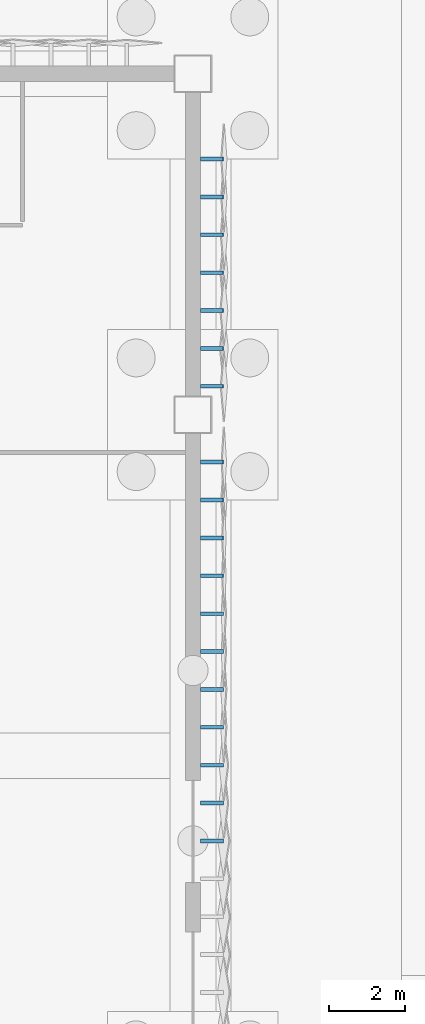
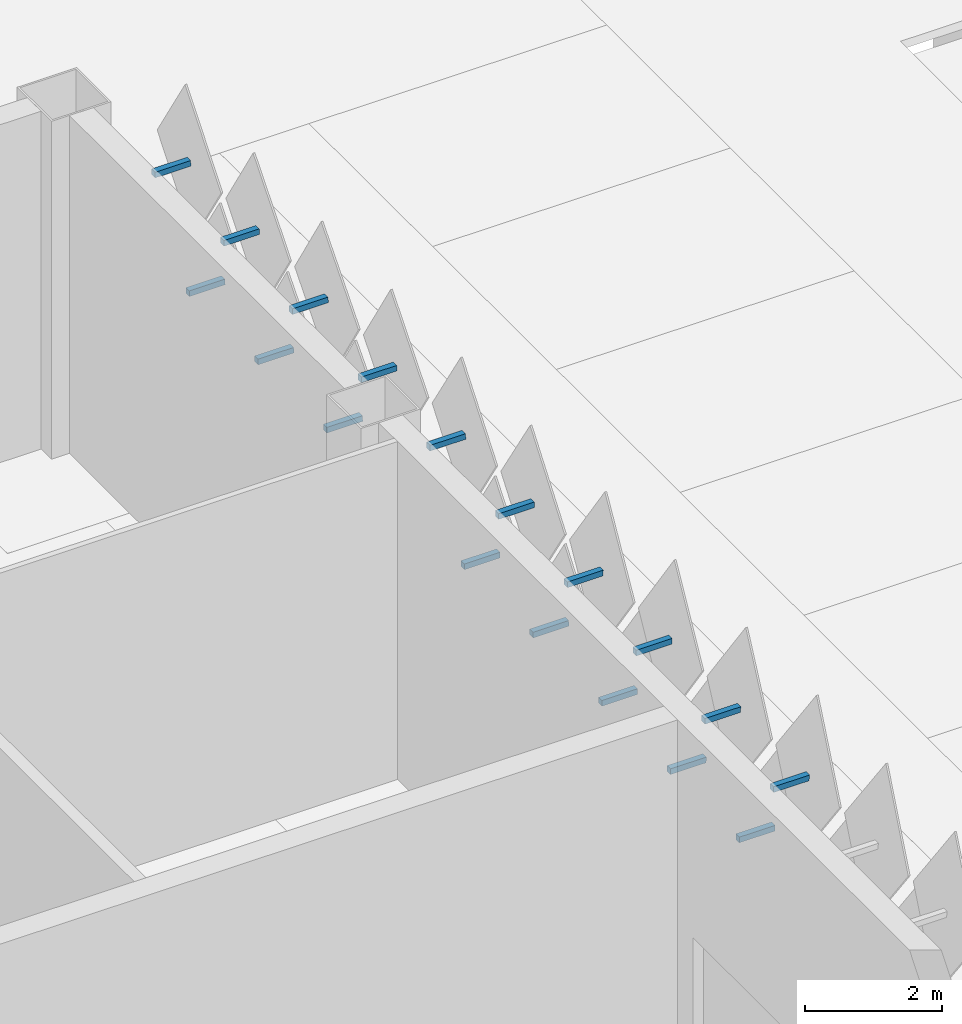
# One storey, part 132 of 198: 18 discrete accessories.
"""IFC4 building model written with IfcOpenShell, lengths in metres."""

import ifcopenshell
import ifcopenshell.guid

model = None  # the IFC model being written
_history = None  # IfcOwnerHistory: only IFC2X3 demands one
_inside = {}  # id of a spatial element -> (the spatial element, [elements in it])
_under = {}  # id of a project, library or spatial element -> (it, [spatial elements below it])
_declared = {}  # id of a project -> (the project, [libraries it declares])
_typed = {}  # id of a type object -> (the type object, [elements of that type])
_made_of = {}  # id of a material, layer set ... -> (it, [elements and type objects made of it])


def new_model(schema):
    """Start an empty IFC model of exactly this schema.

    Asked for "IFC4X3", IfcOpenShell would pick the latest addendum, in which some entities
    have other attributes; the version numbers below select the first issue.
    IFC2X3 requires an IfcOwnerHistory on every rooted entity: one is made here for all.
    """
    global model, _history
    if schema == "IFC4X3":
        model = ifcopenshell.file(schema_version=(4, 3, 0, 0))
    else:
        model = ifcopenshell.file(schema=schema)
    _inside.clear()
    _under.clear()
    _declared.clear()
    _typed.clear()
    _made_of.clear()
    _history = None
    if model.schema == "IFC2X3":
        org = make("IfcOrganization", Name="unknown")
        user = make(
            "IfcPersonAndOrganization",
            ThePerson=make("IfcPerson", FamilyName="unknown"),
            TheOrganization=org,
        )
        app = make(
            "IfcApplication",
            ApplicationDeveloper=org,
            Version="unknown",
            ApplicationFullName="unknown",
            ApplicationIdentifier="unknown",
        )
        _history = make(
            "IfcOwnerHistory",
            OwningUser=user,
            OwningApplication=app,
            ChangeAction="ADDED",
            CreationDate=0,
        )
    return model


def make(cls, **values):
    """One entity of the class cls with the attributes given. An attribute that is None is left unset."""
    return model.create_entity(
        cls, **{name: value for name, value in values.items() if value is not None}
    )


def rooted(cls, **values):
    """An entity with a GlobalId (a new one), such as an element, a storey or a relation."""
    return make(cls, GlobalId=ifcopenshell.guid.new(), OwnerHistory=_history, **values)


def si_unit(unit_type, name, prefix=None):
    """IfcSIUnit, for example si_unit("LENGTHUNIT", "METRE", prefix="MILLI")."""
    return make("IfcSIUnit", UnitType=unit_type, Prefix=prefix, Name=name)


def assignment(units):
    """IfcUnitAssignment: the units of a project."""
    return None if units is None else make("IfcUnitAssignment", Units=units)


def point(xyz):
    """IfcCartesianPoint."""
    return None if xyz is None else make("IfcCartesianPoint", Coordinates=xyz)


def direction(xyz):
    """IfcDirection."""
    return None if xyz is None else make("IfcDirection", DirectionRatios=xyz)


def frame(location, z_axis=None, x_axis=None):
    """IfcAxis2Placement3D, a coordinate frame: its origin and axes. An axis left out is left unset."""
    return make(
        "IfcAxis2Placement3D",
        Location=point(location),
        Axis=direction(z_axis),
        RefDirection=direction(x_axis),
    )


def origin():
    """The frame at (0, 0, 0) with its axes left unset."""
    return frame((0.0, 0.0, 0.0))


def place(relative_to, where):
    """IfcLocalPlacement: puts the frame where relative to a parent placement (None: the world)."""
    return make(
        "IfcLocalPlacement", PlacementRelTo=relative_to, RelativePlacement=where
    )


def context(
    kind, dimensions, precision=None, world=None, true_north=None, identifier=None
):
    """IfcGeometricRepresentationContext, for example the 3D "Model" context."""
    return make(
        "IfcGeometricRepresentationContext",
        ContextIdentifier=identifier,
        ContextType=kind,
        CoordinateSpaceDimension=dimensions,
        Precision=precision,
        WorldCoordinateSystem=world,
        TrueNorth=true_north,
    )


def subcontext(parent, identifier, kind, view, scale=None):
    """IfcGeometricRepresentationSubContext, for example "Body" below "Model"."""
    return make(
        "IfcGeometricRepresentationSubContext",
        ContextIdentifier=identifier,
        ContextType=kind,
        ParentContext=parent,
        TargetScale=scale,
        TargetView=view,
    )


def project(units=None, contexts=None):
    """IfcProject with its units and contexts."""
    return rooted(
        "IfcProject",
        Name="project",
        RepresentationContexts=contexts,
        UnitsInContext=assignment(units),
    )


def spatial(cls, under=None, at=None, **own):
    """A site, building, storey or space (cls), placed at a placement, below another one or the project."""
    s = rooted(cls, ObjectPlacement=at, **own)
    if under is not None:
        _under.setdefault(under.id(), (under, []))[1].append(s)
    return s


def polyline(points):
    """IfcPolyline through the points."""
    return make("IfcPolyline", Points=[point(p) for p in points])


def outline(outer, holes=None, kind="AREA"):
    """IfcArbitraryClosedProfileDef: a profile drawn as a closed curve; with holes, ...WithVoids."""
    if holes is None:
        return make("IfcArbitraryClosedProfileDef", ProfileType=kind, OuterCurve=outer)
    return make(
        "IfcArbitraryProfileDefWithVoids",
        ProfileType=kind,
        OuterCurve=outer,
        InnerCurves=holes,
    )


def extrude(swept, where, along, depth):
    """IfcExtrudedAreaSolid: the profile swept, set in the frame where, extruded along a direction by depth."""
    return make(
        "IfcExtrudedAreaSolid",
        SweptArea=swept,
        Position=where,
        ExtrudedDirection=direction(along),
        Depth=depth,
    )


def shape(context_of_items, identifier, shape_type, items):
    """IfcShapeRepresentation: the items that make up one representation, for example the "Body"."""
    return make(
        "IfcShapeRepresentation",
        ContextOfItems=context_of_items,
        RepresentationIdentifier=identifier,
        RepresentationType=shape_type,
        Items=items,
    )


def material(Name=None, Category=None):
    """IfcMaterial."""
    return make("IfcMaterial", Name=Name, Category=Category)


def made_of(thing, what):
    """Note that an element or type object is made of a material, layer set ...; save() writes the relation."""
    if what is not None:
        _made_of.setdefault(what.id(), (what, []))[1].append(thing)
    return thing


def type_object(cls, material=None, **own):
    """A type object (cls), such as IfcWallType, which elements share."""
    return made_of(rooted(cls, **own), material)


def element(
    cls,
    number,
    at=None,
    inside=None,
    cuts=None,
    type_object=None,
    material=None,
    context=None,
    identifier="Body",
    shape_type=None,
    held_by="IfcProductDefinitionShape",
    body=None,
    shapes=None,
    **own,
):
    """One element of the class cls, such as IfcWall. Its Tag is "e" and its number.

    at: its placement. inside: the storey or other place that contains it. cuts: it is an
    opening in that element (IfcRelVoidsElement). A single representation is given by context,
    identifier, shape_type and body (its items); several are given by shapes. held_by: the class
    of the entity that holds the representations. save() writes the other relations.
    """
    e = rooted(cls, Tag="e%d" % number, ObjectPlacement=at, **own)
    if body is not None:
        shapes = [shape(context, identifier, shape_type, body)]
    if shapes is not None:
        e.Representation = make(held_by, Representations=shapes)
    if inside is not None:
        _inside.setdefault(inside.id(), (inside, []))[1].append(e)
    if cuts is not None:
        rooted(
            "IfcRelVoidsElement", RelatingBuildingElement=cuts, RelatedOpeningElement=e
        )
    if type_object is not None:
        _typed.setdefault(type_object.id(), (type_object, []))[1].append(e)
    return made_of(e, material)


def aggregate(whole, parts):
    """IfcRelAggregates: a whole, such as a stair, and the parts it consists of."""
    return rooted("IfcRelAggregates", RelatingObject=whole, RelatedObjects=parts)


def save(model, path):
    """Write the relations noted so far, then the file.

    IfcRelAggregates (storeys below a building ...), IfcRelContainedInSpatialStructure (elements
    in a storey), IfcRelDefinesByType, IfcRelAssociatesMaterial and IfcRelDeclares: one each for
    every whole, place, type object, material and project.
    """
    for whole, parts in _under.values():
        aggregate(whole, parts)
    for where, things in _inside.values():
        rooted(
            "IfcRelContainedInSpatialStructure",
            RelatedElements=things,
            RelatingStructure=where,
        )
    for kind, things in _typed.values():
        rooted("IfcRelDefinesByType", RelatedObjects=things, RelatingType=kind)
    for what, things in _made_of.values():
        rooted("IfcRelAssociatesMaterial", RelatedObjects=things, RelatingMaterial=what)
    for by, libraries in _declared.values():
        rooted("IfcRelDeclares", RelatingContext=by, RelatedDefinitions=libraries)
    model.write(path)


model = new_model("IFC4")

# Units and contexts
model_context = context("Model", 3, precision=1e-05, world=origin(), true_north=direction((0.0, 1.0)))
body_context = subcontext(model_context, "Body", "Model", "MODEL_VIEW")
ifc_project = project(units=[si_unit("LENGTHUNIT", "METRE"), si_unit("AREAUNIT", "SQUARE_METRE"), si_unit("VOLUMEUNIT", "CUBIC_METRE"), si_unit("PLANEANGLEUNIT", "RADIAN"), si_unit("MASSUNIT", "GRAM", prefix="KILO")], contexts=[model_context])

# Site, building, storey
site_placement = place(None, origin())
site = spatial("IfcSite", under=ifc_project, at=site_placement, CompositionType="ELEMENT")
building_placement = place(site_placement, origin())
building = spatial("IfcBuilding", under=site, at=building_placement, Name="Opaline Strait Convention Centre", CompositionType="ELEMENT")
storey_placement = place(building_placement, origin())
storey = spatial("IfcBuildingStorey", under=building, at=storey_placement, Name="L00", CompositionType="ELEMENT", Elevation=0.0)

# Discrete accessories
ifc_material = material(Name="Steel Q355B", Category="steel")
discrete_accessory_type = type_object("IfcDiscreteAccessoryType", Name="Tile bracket 100x100 steel", PredefinedType="BRACKET", material=ifc_material)
discrete_accessory_1_placement = place(storey_placement, frame((261.199951171875, 133.699951171875, 4.39208984375), z_axis=(0.0, 1.0, 0.0), x_axis=(-1.0, 0.0, 0.0)))
element("IfcDiscreteAccessory", 1, at=discrete_accessory_1_placement, inside=storey, type_object=discrete_accessory_type, Name="Tile bracket XT09 E", PredefinedType="BRACKET", context=body_context, shape_type="SweptSolid", body=[
    extrude(outline(polyline([(0.0, -0.050048828125), (0.0, 0.050048828125), (-0.60400390625, 0.050048828125), (-0.595947265625, -0.050048828125), (0.0, -0.050048828125)])), origin(), (0.0, 0.0, 1.0), 0.10009765625),
])
discrete_accessory_2_placement = place(storey_placement, frame((261.199951171875, 135.699951171875, 4.39208984375), z_axis=(0.0, 1.0, 0.0), x_axis=(-1.0, 0.0, 0.0)))
element("IfcDiscreteAccessory", 2, at=discrete_accessory_2_placement, inside=storey, type_object=discrete_accessory_type, Name="Tile bracket XT05 E", PredefinedType="BRACKET", context=body_context, shape_type="SweptSolid", body=[
    extrude(outline(polyline([(0.0, -0.050048828125), (0.0, 0.050048828125), (-0.602294921875, 0.050048828125), (-0.597900390625, -0.050048828125), (0.0, -0.050048828125)])), origin(), (0.0, 0.0, 1.0), 0.10009765625),
])
discrete_accessory_3_placement = place(storey_placement, frame((261.199951171875, 137.699951171875, 4.39208984375), z_axis=(0.0, 1.0, 0.0), x_axis=(-1.0, 0.0, 0.0)))
element("IfcDiscreteAccessory", 3, at=discrete_accessory_3_placement, inside=storey, type_object=discrete_accessory_type, Name="Tile bracket XT04 E", PredefinedType="BRACKET", context=body_context, shape_type="SweptSolid", body=[
    extrude(outline(polyline([(0.0, -0.050048828125), (0.0, 0.050048828125), (-0.601806640625, 0.050048828125), (-0.59814453125, -0.050048828125), (0.0, -0.050048828125)])), origin(), (0.0, 0.0, 1.0), 0.10009765625),
])
discrete_accessory_4_placement = place(storey_placement, frame((261.199951171875, 139.699951171875, 4.39208984375), z_axis=(0.0, 1.0, 0.0), x_axis=(-1.0, 0.0, 0.0)))
element("IfcDiscreteAccessory", 4, at=discrete_accessory_4_placement, inside=storey, type_object=discrete_accessory_type, Name="Tile bracket XT04 E", PredefinedType="BRACKET", context=body_context, shape_type="SweptSolid", body=[
    extrude(outline(polyline([(0.0, -0.050048828125), (0.0, 0.050048828125), (-0.59814453125, 0.050048828125), (-0.601806640625, -0.050048828125), (0.0, -0.050048828125)])), origin(), (0.0, 0.0, 1.0), 0.10009765625),
])
discrete_accessory_5_placement = place(storey_placement, frame((261.199951171875, 141.699951171875, 4.39208984375), z_axis=(0.0, 1.0, 0.0), x_axis=(-1.0, 0.0, 0.0)))
element("IfcDiscreteAccessory", 5, at=discrete_accessory_5_placement, inside=storey, type_object=discrete_accessory_type, Name="Tile bracket XT06 E", PredefinedType="BRACKET", context=body_context, shape_type="SweptSolid", body=[
    extrude(outline(polyline([(0.0, -0.050048828125), (0.0, 0.050048828125), (-0.597412109375, 0.050048828125), (-0.6025390625, -0.050048828125), (0.0, -0.050048828125)])), origin(), (0.0, 0.0, 1.0), 0.10009765625),
])
discrete_accessory_6_placement = place(storey_placement, frame((261.199951171875, 145.699951171875, 4.39208984375), z_axis=(0.0, 1.0, 0.0), x_axis=(-1.0, 0.0, 0.0)))
element("IfcDiscreteAccessory", 6, at=discrete_accessory_6_placement, inside=storey, type_object=discrete_accessory_type, Name="Tile bracket XT09 E", PredefinedType="BRACKET", context=body_context, shape_type="SweptSolid", body=[
    extrude(outline(polyline([(0.0, -0.050048828125), (0.0, 0.050048828125), (-0.595947265625, 0.050048828125), (-0.60400390625, -0.050048828125), (0.0, -0.050048828125)])), origin(), (0.0, 0.0, 1.0), 0.10009765625),
])
discrete_accessory_7_placement = place(storey_placement, frame((261.199951171875, 147.699951171875, 4.39208984375), z_axis=(0.0, 1.0, 0.0), x_axis=(-1.0, 0.0, 0.0)))
element("IfcDiscreteAccessory", 7, at=discrete_accessory_7_placement, inside=storey, type_object=discrete_accessory_type, Name="Tile bracket XT08 E", PredefinedType="BRACKET", context=body_context, shape_type="SweptSolid", body=[
    extrude(outline(polyline([(0.0, -0.050048828125), (0.0, 0.050048828125), (-0.596435546875, 0.050048828125), (-0.603515625, -0.050048828125), (0.0, -0.050048828125)])), origin(), (0.0, 0.0, 1.0), 0.10009765625),
])
discrete_accessory_8_placement = place(storey_placement, frame((261.199951171875, 149.699951171875, 4.39208984375), z_axis=(0.0, 1.0, 0.0), x_axis=(-1.0, 0.0, 0.0)))
element("IfcDiscreteAccessory", 8, at=discrete_accessory_8_placement, inside=storey, type_object=discrete_accessory_type, Name="Tile bracket XT06 E", PredefinedType="BRACKET", context=body_context, shape_type="SweptSolid", body=[
    extrude(outline(polyline([(0.0, -0.050048828125), (0.0, 0.050048828125), (-0.597412109375, 0.050048828125), (-0.6025390625, -0.050048828125), (0.0, -0.050048828125)])), origin(), (0.0, 0.0, 1.0), 0.10009765625),
])
discrete_accessory_9_placement = place(storey_placement, frame((261.199951171875, 132.699951171875, 5.89208984375), z_axis=(0.0, 1.0, 0.0), x_axis=(-1.0, 0.0, 0.0)))
element("IfcDiscreteAccessory", 9, at=discrete_accessory_9_placement, inside=storey, type_object=discrete_accessory_type, Name="Tile bracket XT12 E", PredefinedType="BRACKET", context=body_context, shape_type="SweptSolid", body=[
    extrude(outline(polyline([(0.0, -0.050048828125), (0.0, 0.050048828125), (-0.605224609375, 0.050048828125), (-0.5947265625, -0.050048828125), (0.0, -0.050048828125)])), origin(), (0.0, 0.0, 1.0), 0.10009765625),
])
discrete_accessory_10_placement = place(storey_placement, frame((261.199951171875, 134.699951171875, 5.89208984375), z_axis=(0.0, 1.0, 0.0), x_axis=(-1.0, 0.0, 0.0)))
element("IfcDiscreteAccessory", 10, at=discrete_accessory_10_placement, inside=storey, type_object=discrete_accessory_type, Name="Tile bracket XT09 E", PredefinedType="BRACKET", context=body_context, shape_type="SweptSolid", body=[
    extrude(outline(polyline([(0.0, -0.050048828125), (0.0, 0.050048828125), (-0.60400390625, 0.050048828125), (-0.595947265625, -0.050048828125), (0.0, -0.050048828125)])), origin(), (0.0, 0.0, 1.0), 0.10009765625),
])
discrete_accessory_11_placement = place(storey_placement, frame((261.199951171875, 136.699951171875, 5.89208984375), z_axis=(0.0, 1.0, 0.0), x_axis=(-1.0, 0.0, 0.0)))
element("IfcDiscreteAccessory", 11, at=discrete_accessory_11_placement, inside=storey, type_object=discrete_accessory_type, Name="Tile bracket XT05 E", PredefinedType="BRACKET", context=body_context, shape_type="SweptSolid", body=[
    extrude(outline(polyline([(0.0, -0.050048828125), (0.0, 0.050048828125), (-0.602294921875, 0.050048828125), (-0.597900390625, -0.050048828125), (0.0, -0.050048828125)])), origin(), (0.0, 0.0, 1.0), 0.10009765625),
])
discrete_accessory_12_placement = place(storey_placement, frame((261.199951171875, 138.699951171875, 5.89208984375), z_axis=(0.0, 1.0, 0.0), x_axis=(-1.0, 0.0, 0.0)))
element("IfcDiscreteAccessory", 12, at=discrete_accessory_12_placement, inside=storey, type_object=discrete_accessory_type, Name="Tile bracket XT04 E", PredefinedType="BRACKET", context=body_context, shape_type="SweptSolid", body=[
    extrude(outline(polyline([(0.0, -0.050048828125), (0.0, 0.050048828125), (-0.601806640625, 0.050048828125), (-0.59814453125, -0.050048828125), (0.0, -0.050048828125)])), origin(), (0.0, 0.0, 1.0), 0.10009765625),
])
discrete_accessory_13_placement = place(storey_placement, frame((261.199951171875, 140.699951171875, 5.89208984375), z_axis=(0.0, 1.0, 0.0), x_axis=(-1.0, 0.0, 0.0)))
element("IfcDiscreteAccessory", 13, at=discrete_accessory_13_placement, inside=storey, type_object=discrete_accessory_type, Name="Tile bracket XT04 E", PredefinedType="BRACKET", context=body_context, shape_type="SweptSolid", body=[
    extrude(outline(polyline([(0.0, -0.050048828125), (0.0, 0.050048828125), (-0.59814453125, 0.050048828125), (-0.601806640625, -0.050048828125), (0.0, -0.050048828125)])), origin(), (0.0, 0.0, 1.0), 0.10009765625),
])
discrete_accessory_14_placement = place(storey_placement, frame((261.199951171875, 142.699951171875, 5.89208984375), z_axis=(0.0, 1.0, 0.0), x_axis=(-1.0, 0.0, 0.0)))
element("IfcDiscreteAccessory", 14, at=discrete_accessory_14_placement, inside=storey, type_object=discrete_accessory_type, Name="Tile bracket XT05 E", PredefinedType="BRACKET", context=body_context, shape_type="SweptSolid", body=[
    extrude(outline(polyline([(0.0, -0.050048828125), (0.0, 0.050048828125), (-0.597900390625, 0.050048828125), (-0.602294921875, -0.050048828125), (0.0, -0.050048828125)])), origin(), (0.0, 0.0, 1.0), 0.10009765625),
])
discrete_accessory_15_placement = place(storey_placement, frame((261.199951171875, 144.699951171875, 5.89208984375), z_axis=(0.0, 1.0, 0.0), x_axis=(-1.0, 0.0, 0.0)))
element("IfcDiscreteAccessory", 15, at=discrete_accessory_15_placement, inside=storey, type_object=discrete_accessory_type, Name="Tile bracket XT07 E", PredefinedType="BRACKET", context=body_context, shape_type="SweptSolid", body=[
    extrude(outline(polyline([(0.0, -0.050048828125), (0.0, 0.050048828125), (-0.596923828125, 0.050048828125), (-0.60302734375, -0.050048828125), (0.0, -0.050048828125)])), origin(), (0.0, 0.0, 1.0), 0.10009765625),
])
discrete_accessory_16_placement = place(storey_placement, frame((261.199951171875, 146.699951171875, 5.89208984375), z_axis=(0.0, 1.0, 0.0), x_axis=(-1.0, 0.0, 0.0)))
element("IfcDiscreteAccessory", 16, at=discrete_accessory_16_placement, inside=storey, type_object=discrete_accessory_type, Name="Tile bracket XT08 E", PredefinedType="BRACKET", context=body_context, shape_type="SweptSolid", body=[
    extrude(outline(polyline([(0.0, -0.050048828125), (0.0, 0.050048828125), (-0.596435546875, 0.050048828125), (-0.603515625, -0.050048828125), (0.0, -0.050048828125)])), origin(), (0.0, 0.0, 1.0), 0.10009765625),
])
discrete_accessory_17_placement = place(storey_placement, frame((261.199951171875, 148.699951171875, 5.89208984375), z_axis=(0.0, 1.0, 0.0), x_axis=(-1.0, 0.0, 0.0)))
element("IfcDiscreteAccessory", 17, at=discrete_accessory_17_placement, inside=storey, type_object=discrete_accessory_type, Name="Tile bracket XT07 E", PredefinedType="BRACKET", context=body_context, shape_type="SweptSolid", body=[
    extrude(outline(polyline([(0.0, -0.050048828125), (0.0, 0.050048828125), (-0.596923828125, 0.050048828125), (-0.60302734375, -0.050048828125), (0.0, -0.050048828125)])), origin(), (0.0, 0.0, 1.0), 0.10009765625),
])
discrete_accessory_18_placement = place(storey_placement, frame((261.199951171875, 150.699951171875, 5.89208984375), z_axis=(0.0, 1.0, 0.0), x_axis=(-1.0, 0.0, 0.0)))
element("IfcDiscreteAccessory", 18, at=discrete_accessory_18_placement, inside=storey, type_object=discrete_accessory_type, Name="Tile bracket XT06 E", PredefinedType="BRACKET", context=body_context, shape_type="SweptSolid", body=[
    extrude(outline(polyline([(0.0, -0.050048828125), (0.0, 0.050048828125), (-0.597412109375, 0.050048828125), (-0.6025390625, -0.050048828125), (0.0, -0.050048828125)])), origin(), (0.0, 0.0, 1.0), 0.10009765625),
])

save(model, "model.ifc")
